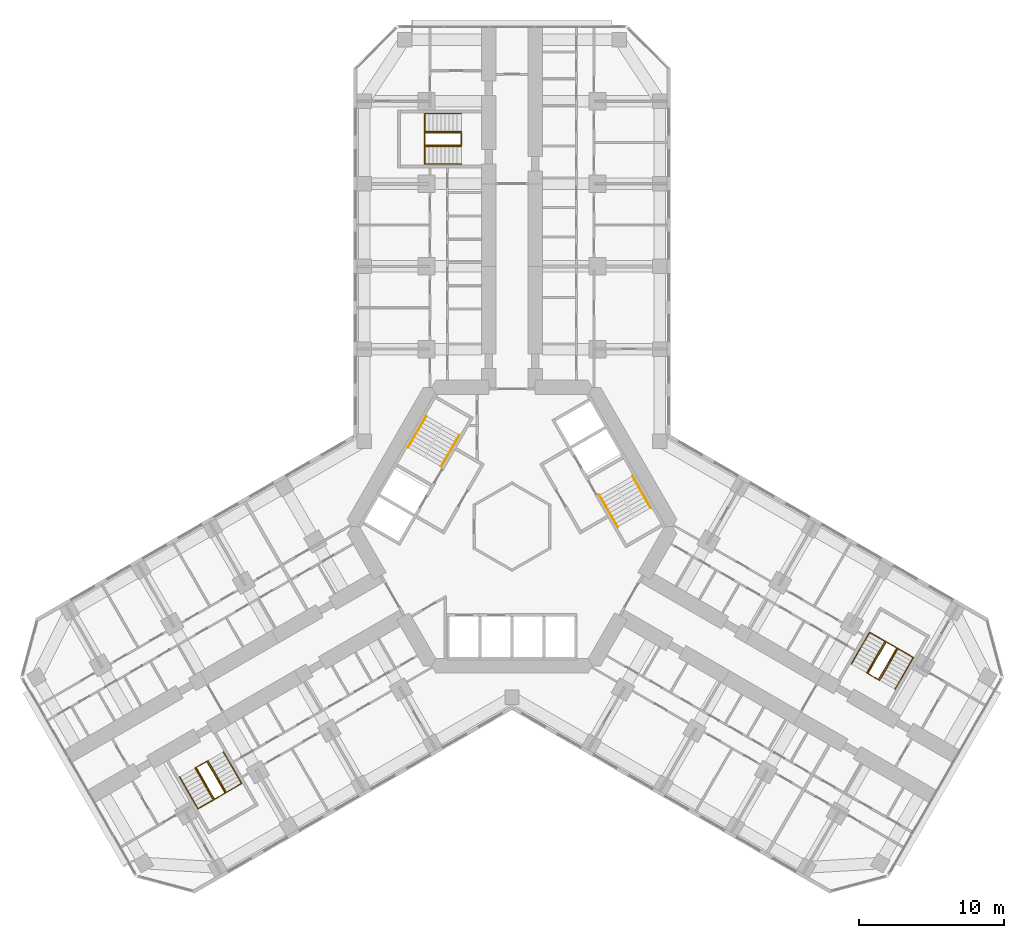
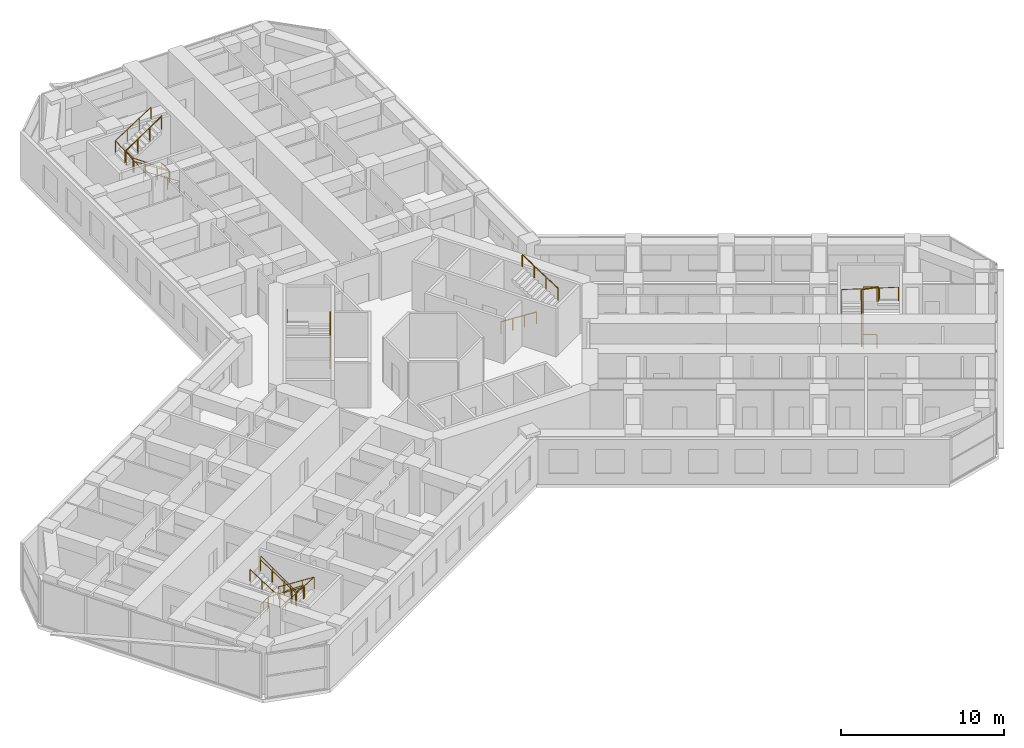
# One storey, part 21 of 21: 13 railings.
"""IFC4 building model written with IfcOpenShell, lengths in metres."""

from ifc_helpers import new_model, si_unit, direction, frame, origin, origin_2d, place, context, subcontext, project, spatial, circle, extrude, material, type_object, element, save


model = new_model("IFC4")

# Units and contexts
model_context = context("Model", 3, precision=1e-05, world=origin(), true_north=direction((0.0, 1.0)))
body_context = subcontext(model_context, "Body", "Model", "MODEL_VIEW")
ifc_project = project(units=[si_unit("LENGTHUNIT", "METRE"), si_unit("AREAUNIT", "SQUARE_METRE"), si_unit("VOLUMEUNIT", "CUBIC_METRE"), si_unit("PLANEANGLEUNIT", "RADIAN"), si_unit("MASSUNIT", "GRAM", prefix="KILO")], contexts=[model_context])

# Site, building, storey
site_placement = place(None, origin())
site = spatial("IfcSite", under=ifc_project, at=site_placement, CompositionType="ELEMENT")
building_placement = place(site_placement, origin())
building = spatial("IfcBuilding", under=site, at=building_placement, Name="Kosmar Iwan School Tower", CompositionType="ELEMENT")
storey_placement = place(building_placement, frame((0.0, 0.0, 46.60009765625)))
storey = spatial("IfcBuildingStorey", under=building, at=storey_placement, Name="L10", CompositionType="ELEMENT", Elevation=46.60009765625)

# Railings
ifc_material_1 = material(Name="Black steel", Category="steel")
railing_type_1 = type_object("IfcRailingType", Name="Stair handrail 900", PredefinedType="HANDRAIL", material=ifc_material_1)
railing_1_placement = place(storey_placement, frame((-4.89453125, 4.142333984375, 0.179931640625)))
element("IfcRailing", 1, at=railing_1_placement, inside=storey, type_object=railing_type_1, Name="Handrail ST2 flight 1", PredefinedType="HANDRAIL", context=body_context, shape_type="SweptSolid", body=[
    extrude(circle(Radius=0.02392578125, at=origin_2d()), frame((0.0, 0.0, 0.8759765625), z_axis=(0.42060268101, 0.72849590497, 0.54072830624), x_axis=(-0.866022637375, 0.500004791531, 0.0)), (0.0, 0.0, 1.0), 2.99560546875),
    extrude(circle(Radius=0.02099609375, at=origin_2d()), origin(), (0.0, 0.0, 1.0), 0.851806640625),
    extrude(circle(Radius=0.02099609375, at=origin_2d()), frame((0.419921875, 0.7275390625, 0.5400390625)), (0.0, 0.0, 1.0), 0.851806640625),
    extrude(circle(Radius=0.02099609375, at=origin_2d()), frame((0.840087890625, 1.454833984375, 1.079833984375)), (0.0, 0.0, 1.0), 0.851806640625),
    extrude(circle(Radius=0.02099609375, at=origin_2d()), frame((1.260009765625, 2.182373046875, 1.619873046875)), (0.0, 0.0, 1.0), 0.851806640625),
])
railing_2_placement = place(storey_placement, frame((-5.912353515625, 7.6396484375, 1.97998046875)))
element("IfcRailing", 2, at=railing_2_placement, inside=storey, type_object=railing_type_1, Name="Handrail ST2 flight 2", PredefinedType="HANDRAIL", context=body_context, shape_type="SweptSolid", body=[
    extrude(circle(Radius=0.02392578125, at=origin_2d()), frame((0.0, 0.0, 0.8759765625), z_axis=(-0.42060268101, -0.72849590497, 0.54072830624), x_axis=(0.866022637375, -0.500004791531, 0.0)), (0.0, 0.0, 1.0), 2.99560546875),
    extrude(circle(Radius=0.02099609375, at=origin_2d()), origin(), (0.0, 0.0, 1.0), 0.851806640625),
    extrude(circle(Radius=0.02099609375, at=origin_2d()), frame((-0.419921875, -0.7275390625, 0.5400390625)), (0.0, 0.0, 1.0), 0.851806640625),
    extrude(circle(Radius=0.02099609375, at=origin_2d()), frame((-0.840087890625, -1.454833984375, 1.079833984375)), (0.0, 0.0, 1.0), 0.851806640625),
    extrude(circle(Radius=0.02099609375, at=origin_2d()), frame((-1.260009765625, -2.182373046875, 1.619873046875)), (0.0, 0.0, 1.0), 0.851806640625),
])
railing_3_placement = place(storey_placement, frame((6.03466796875, 2.167724609375, 0.179931640625)))
element("IfcRailing", 3, at=railing_3_placement, inside=storey, type_object=railing_type_1, Name="Handrail ST1 flight 1", PredefinedType="HANDRAIL", context=body_context, shape_type="SweptSolid", body=[
    extrude(circle(Radius=0.02392578125, at=origin_2d()), frame((0.0, 0.0, 0.8759765625), z_axis=(0.42060268101, -0.72849590497, 0.54072830624), x_axis=(0.866022637375, 0.500004791531, 0.0)), (0.0, 0.0, 1.0), 2.99560546875),
    extrude(circle(Radius=0.02099609375, at=origin_2d()), origin(), (0.0, 0.0, 1.0), 0.851806640625),
    extrude(circle(Radius=0.02099609375, at=origin_2d()), frame((0.419921875, -0.7275390625, 0.5400390625)), (0.0, 0.0, 1.0), 0.851806640625),
    extrude(circle(Radius=0.02099609375, at=origin_2d()), frame((0.840087890625, -1.454833984375, 1.079833984375)), (0.0, 0.0, 1.0), 0.851806640625),
    extrude(circle(Radius=0.02099609375, at=origin_2d()), frame((1.260009765625, -2.182373046875, 1.619873046875)), (0.0, 0.0, 1.0), 0.851806640625),
])
railing_4_placement = place(storey_placement, frame((9.572265625, 1.30029296875, 1.97998046875)))
element("IfcRailing", 4, at=railing_4_placement, inside=storey, type_object=railing_type_1, Name="Handrail ST1 flight 2", PredefinedType="HANDRAIL", context=body_context, shape_type="SweptSolid", body=[
    extrude(circle(Radius=0.02392578125, at=origin_2d()), frame((0.0, 0.0, 0.8759765625), z_axis=(-0.42060268101, 0.72849590497, 0.54072830624), x_axis=(-0.866022637375, -0.500004791531, 0.0)), (0.0, 0.0, 1.0), 2.99560546875),
    extrude(circle(Radius=0.02099609375, at=origin_2d()), origin(), (0.0, 0.0, 1.0), 0.851806640625),
    extrude(circle(Radius=0.02099609375, at=origin_2d()), frame((-0.419921875, 0.7275390625, 0.5400390625)), (0.0, 0.0, 1.0), 0.851806640625),
    extrude(circle(Radius=0.02099609375, at=origin_2d()), frame((-0.840087890625, 1.454833984375, 1.079833984375)), (0.0, 0.0, 1.0), 0.851806640625),
    extrude(circle(Radius=0.02099609375, at=origin_2d()), frame((-1.260009765625, 2.182373046875, 1.619873046875)), (0.0, 0.0, 1.0), 0.851806640625),
])
railing_5_placement = place(storey_placement, frame((-3.5, 25.010009765625, 0.179931640625)))
element("IfcRailing", 5, at=railing_5_placement, inside=storey, type_object=railing_type_1, Name="Handrail stair WS1 L10 wall side", PredefinedType="HANDRAIL", context=body_context, shape_type="SweptSolid", body=[
    extrude(circle(Radius=0.02392578125, at=origin_2d()), frame((0.0, 0.0, 0.8759765625), z_axis=(-0.841199657755, 0.0, 0.540724639528), x_axis=(0.0, -1.0, 0.0)), (0.0, 0.0, 1.0), 2.995849609375),
    extrude(circle(Radius=0.02392578125, at=origin_2d()), frame((-2.52001953125, 0.0, 2.49560546875), z_axis=(0.0, 0.998662366465, 0.051705684471), x_axis=(-1.0, 0.0, 0.0)), (0.0, 0.0, 1.0), 3.484619140625),
    extrude(circle(Radius=0.02392578125, at=origin_2d()), frame((-2.52001953125, 3.47998046875, 2.67578125), z_axis=(0.841199657755, 0.0, 0.540724639528), x_axis=(0.0, 1.0, 0.0)), (0.0, 0.0, 1.0), 2.995849609375),
    extrude(circle(Radius=0.02099609375, at=origin_2d()), origin(), (0.0, 0.0, 1.0), 0.851806640625),
    extrude(circle(Radius=0.02099609375, at=origin_2d()), frame((-0.840087890625, 0.0, 0.5400390625)), (0.0, 0.0, 1.0), 0.851806640625),
    extrude(circle(Radius=0.02099609375, at=origin_2d()), frame((-1.679931640625, 0.0, 1.079833984375)), (0.0, 0.0, 1.0), 0.851806640625),
    extrude(circle(Radius=0.02099609375, at=origin_2d()), frame((-2.52001953125, 0.0, 1.619873046875)), (0.0, 0.0, 1.0), 0.851806640625),
    extrude(circle(Radius=0.02099609375, at=origin_2d()), frame((-2.52001953125, 1.159912109375, 1.679931640625)), (0.0, 0.0, 1.0), 0.851806640625),
    extrude(circle(Radius=0.02099609375, at=origin_2d()), frame((-2.52001953125, 2.320068359375, 1.739990234375)), (0.0, 0.0, 1.0), 0.851806640625),
    extrude(circle(Radius=0.02099609375, at=origin_2d()), frame((-2.52001953125, 3.47998046875, 1.800048828125)), (0.0, 0.0, 1.0), 0.851806640625),
    extrude(circle(Radius=0.02099609375, at=origin_2d()), frame((-1.679931640625, 3.47998046875, 2.340087890625)), (0.0, 0.0, 1.0), 0.851806640625),
    extrude(circle(Radius=0.02099609375, at=origin_2d()), frame((-0.840087890625, 3.47998046875, 2.8798828125)), (0.0, 0.0, 1.0), 0.851806640625),
    extrude(circle(Radius=0.02099609375, at=origin_2d()), frame((0.0, 3.47998046875, 3.419921875)), (0.0, 0.0, 1.0), 0.851806640625),
])
railing_6_placement = place(storey_placement, frame((-3.5, 26.239990234375, 0.179931640625)))
element("IfcRailing", 6, at=railing_6_placement, inside=storey, type_object=railing_type_1, Name="Handrail stair WS1 L10 well side", PredefinedType="HANDRAIL", context=body_context, shape_type="SweptSolid", body=[
    extrude(circle(Radius=0.02392578125, at=origin_2d()), frame((0.0, 0.0, 0.8759765625), z_axis=(-0.841199657755, 0.0, 0.540724639528), x_axis=(0.0, -1.0, 0.0)), (0.0, 0.0, 1.0), 2.995849609375),
    extrude(circle(Radius=0.02392578125, at=origin_2d()), frame((-2.52001953125, 0.0, 2.49560546875), z_axis=(0.0, 0.98475507176, 0.173946683332), x_axis=(-1.0, 0.0, 0.0)), (0.0, 0.0, 1.0), 1.035888671875),
    extrude(circle(Radius=0.02392578125, at=origin_2d()), frame((-2.52001953125, 1.02001953125, 2.67578125), z_axis=(0.841199657755, 0.0, 0.540724639528), x_axis=(0.0, 1.0, 0.0)), (0.0, 0.0, 1.0), 2.995849609375),
    extrude(circle(Radius=0.02099609375, at=origin_2d()), origin(), (0.0, 0.0, 1.0), 0.851806640625),
    extrude(circle(Radius=0.02099609375, at=origin_2d()), frame((-0.840087890625, 0.0, 0.5400390625)), (0.0, 0.0, 1.0), 0.851806640625),
    extrude(circle(Radius=0.02099609375, at=origin_2d()), frame((-1.679931640625, 0.0, 1.079833984375)), (0.0, 0.0, 1.0), 0.851806640625),
    extrude(circle(Radius=0.02099609375, at=origin_2d()), frame((-2.52001953125, 0.0, 1.619873046875)), (0.0, 0.0, 1.0), 0.851806640625),
    extrude(circle(Radius=0.02099609375, at=origin_2d()), frame((-2.52001953125, 1.02001953125, 1.800048828125)), (0.0, 0.0, 1.0), 0.851806640625),
    extrude(circle(Radius=0.02099609375, at=origin_2d()), frame((-1.679931640625, 1.02001953125, 2.340087890625)), (0.0, 0.0, 1.0), 0.851806640625),
    extrude(circle(Radius=0.02099609375, at=origin_2d()), frame((-0.840087890625, 1.02001953125, 2.8798828125)), (0.0, 0.0, 1.0), 0.851806640625),
    extrude(circle(Radius=0.02099609375, at=origin_2d()), frame((0.0, 1.02001953125, 3.419921875)), (0.0, 0.0, 1.0), 0.851806640625),
])
railing_7_placement = place(storey_placement, frame((-19.9091796875, -15.5361328125, 0.179931640625)))
element("IfcRailing", 7, at=railing_7_placement, inside=storey, type_object=railing_type_1, Name="Handrail stair WS2 L10 wall side", PredefinedType="HANDRAIL", context=body_context, shape_type="SweptSolid", body=[
    extrude(circle(Radius=0.02392578125, at=origin_2d()), frame((0.0, 0.0, 0.8759765625), z_axis=(0.420535598452, -0.728520874915, 0.540746840257), x_axis=(0.866064587494, 0.499932125682, 0.0)), (0.0, 0.0, 1.0), 2.99560546875),
    extrude(circle(Radius=0.02392578125, at=origin_2d()), frame((1.259765625, -2.182373046875, 2.49560546875), z_axis=(-0.864861221286, -0.499341050235, 0.051706706198), x_axis=(0.500009906705, -0.86601968407, 0.0)), (0.0, 0.0, 1.0), 3.484619140625),
    extrude(circle(Radius=0.02392578125, at=origin_2d()), frame((-1.75390625, -3.92236328125, 2.67578125), z_axis=(-0.42060268101, 0.72849590497, 0.54072830624), x_axis=(-0.866022637375, -0.500004791531, 0.0)), (0.0, 0.0, 1.0), 2.99560546875),
    extrude(circle(Radius=0.02099609375, at=origin_2d()), origin(), (0.0, 0.0, 1.0), 0.851806640625),
    extrude(circle(Radius=0.02099609375, at=origin_2d()), frame((0.419921875, -0.7275390625, 0.5400390625)), (0.0, 0.0, 1.0), 0.851806640625),
    extrude(circle(Radius=0.02099609375, at=origin_2d()), frame((0.83984375, -1.454833984375, 1.079833984375)), (0.0, 0.0, 1.0), 0.851806640625),
    extrude(circle(Radius=0.02099609375, at=origin_2d()), frame((1.259765625, -2.182373046875, 1.619873046875)), (0.0, 0.0, 1.0), 0.851806640625),
    extrude(circle(Radius=0.02099609375, at=origin_2d()), frame((0.255126953125, -2.762451171875, 1.679931640625)), (0.0, 0.0, 1.0), 0.851806640625),
    extrude(circle(Radius=0.02099609375, at=origin_2d()), frame((-0.749267578125, -3.34228515625, 1.739990234375)), (0.0, 0.0, 1.0), 0.851806640625),
    extrude(circle(Radius=0.02099609375, at=origin_2d()), frame((-1.75390625, -3.92236328125, 1.800048828125)), (0.0, 0.0, 1.0), 0.851806640625),
    extrude(circle(Radius=0.02099609375, at=origin_2d()), frame((-2.173828125, -3.19482421875, 2.340087890625)), (0.0, 0.0, 1.0), 0.851806640625),
    extrude(circle(Radius=0.02099609375, at=origin_2d()), frame((-2.593994140625, -2.467529296875, 2.8798828125)), (0.0, 0.0, 1.0), 0.851806640625),
    extrude(circle(Radius=0.02099609375, at=origin_2d()), frame((-3.013916015625, -1.739990234375, 3.419921875)), (0.0, 0.0, 1.0), 0.851806640625),
])
railing_8_placement = place(storey_placement, frame((-20.974609375, -16.151123046875, 0.179931640625)))
element("IfcRailing", 8, at=railing_8_placement, inside=storey, type_object=railing_type_1, Name="Handrail stair WS2 L10 well side", PredefinedType="HANDRAIL", context=body_context, shape_type="SweptSolid", body=[
    extrude(circle(Radius=0.02392578125, at=origin_2d()), frame((0.0, 0.0, 0.8759765625), z_axis=(0.42060268101, -0.72849590497, 0.54072830624), x_axis=(0.866022637375, 0.500004791531, 0.0)), (0.0, 0.0, 1.0), 2.99560546875),
    extrude(circle(Radius=0.02392578125, at=origin_2d()), frame((1.260009765625, -2.182373046875, 2.49560546875), z_axis=(-0.852806573049, -0.492402689635, 0.173955569627), x_axis=(0.500026340207, -0.866010195725, 0.0)), (0.0, 0.0, 1.0), 1.03564453125),
    extrude(circle(Radius=0.02392578125, at=origin_2d()), frame((0.376708984375, -2.6923828125, 2.67578125), z_axis=(-0.42060268101, 0.72849590497, 0.54072830624), x_axis=(-0.866022637375, -0.500004791531, 0.0)), (0.0, 0.0, 1.0), 2.99560546875),
    extrude(circle(Radius=0.02099609375, at=origin_2d()), origin(), (0.0, 0.0, 1.0), 0.851806640625),
    extrude(circle(Radius=0.02099609375, at=origin_2d()), frame((0.419921875, -0.7275390625, 0.5400390625)), (0.0, 0.0, 1.0), 0.851806640625),
    extrude(circle(Radius=0.02099609375, at=origin_2d()), frame((0.840087890625, -1.454833984375, 1.079833984375)), (0.0, 0.0, 1.0), 0.851806640625),
    extrude(circle(Radius=0.02099609375, at=origin_2d()), frame((1.260009765625, -2.182373046875, 1.619873046875)), (0.0, 0.0, 1.0), 0.851806640625),
    extrude(circle(Radius=0.02099609375, at=origin_2d()), frame((0.376708984375, -2.6923828125, 1.800048828125)), (0.0, 0.0, 1.0), 0.851806640625),
    extrude(circle(Radius=0.02099609375, at=origin_2d()), frame((-0.043212890625, -1.96484375, 2.340087890625)), (0.0, 0.0, 1.0), 0.851806640625),
    extrude(circle(Radius=0.02099609375, at=origin_2d()), frame((-0.46337890625, -1.237548828125, 2.8798828125)), (0.0, 0.0, 1.0), 0.851806640625),
    extrude(circle(Radius=0.02099609375, at=origin_2d()), frame((-0.88330078125, -0.510009765625, 3.419921875)), (0.0, 0.0, 1.0), 0.851806640625),
])
railing_9_placement = place(storey_placement, frame((23.4091796875, -9.473876953125, 0.179931640625)))
element("IfcRailing", 9, at=railing_9_placement, inside=storey, type_object=railing_type_1, Name="Handrail stair WS3 L10 wall side", PredefinedType="HANDRAIL", context=body_context, shape_type="SweptSolid", body=[
    extrude(circle(Radius=0.02392578125, at=origin_2d()), frame((0.0, 0.0, 0.8759765625), z_axis=(0.42060268101, 0.72849590497, 0.54072830624), x_axis=(-0.866022637375, 0.500004791531, 0.0)), (0.0, 0.0, 1.0), 2.99560546875),
    extrude(circle(Radius=0.02392578125, at=origin_2d()), frame((1.260009765625, 2.182373046875, 2.49560546875), z_axis=(0.864878876685, -0.499310794179, 0.051703573187), x_axis=(0.499979528911, 0.866037222451, 0.0)), (0.0, 0.0, 1.0), 3.48486328125),
    extrude(circle(Radius=0.02392578125, at=origin_2d()), frame((4.27392578125, 0.4423828125, 2.67578125), z_axis=(-0.42060268101, -0.72849590497, 0.54072830624), x_axis=(0.866022637375, -0.500004791531, 0.0)), (0.0, 0.0, 1.0), 2.99560546875),
    extrude(circle(Radius=0.02099609375, at=origin_2d()), origin(), (0.0, 0.0, 1.0), 0.851806640625),
    extrude(circle(Radius=0.02099609375, at=origin_2d()), frame((0.419921875, 0.7275390625, 0.5400390625)), (0.0, 0.0, 1.0), 0.851806640625),
    extrude(circle(Radius=0.02099609375, at=origin_2d()), frame((0.840087890625, 1.454833984375, 1.079833984375)), (0.0, 0.0, 1.0), 0.851806640625),
    extrude(circle(Radius=0.02099609375, at=origin_2d()), frame((1.260009765625, 2.182373046875, 1.619873046875)), (0.0, 0.0, 1.0), 0.851806640625),
    extrude(circle(Radius=0.02099609375, at=origin_2d()), frame((2.2646484375, 1.602294921875, 1.679931640625)), (0.0, 0.0, 1.0), 0.851806640625),
    extrude(circle(Radius=0.02099609375, at=origin_2d()), frame((3.269287109375, 1.0224609375, 1.739990234375)), (0.0, 0.0, 1.0), 0.851806640625),
    extrude(circle(Radius=0.02099609375, at=origin_2d()), frame((4.27392578125, 0.4423828125, 1.800048828125)), (0.0, 0.0, 1.0), 0.851806640625),
    extrude(circle(Radius=0.02099609375, at=origin_2d()), frame((3.85400390625, -0.28515625, 2.340087890625)), (0.0, 0.0, 1.0), 0.851806640625),
    extrude(circle(Radius=0.02099609375, at=origin_2d()), frame((3.433837890625, -1.012451171875, 2.8798828125)), (0.0, 0.0, 1.0), 0.851806640625),
    extrude(circle(Radius=0.02099609375, at=origin_2d()), frame((3.013916015625, -1.739990234375, 3.419921875)), (0.0, 0.0, 1.0), 0.851806640625),
])
railing_10_placement = place(storey_placement, frame((24.474609375, -10.0888671875, 0.179931640625)))
element("IfcRailing", 10, at=railing_10_placement, inside=storey, type_object=railing_type_1, Name="Handrail stair WS3 L10 well side", PredefinedType="HANDRAIL", context=body_context, shape_type="SweptSolid", body=[
    extrude(circle(Radius=0.02392578125, at=origin_2d()), frame((0.0, 0.0, 0.8759765625), z_axis=(0.42060268101, 0.72849590497, 0.54072830624), x_axis=(-0.866022637375, 0.500004791531, 0.0)), (0.0, 0.0, 1.0), 2.99560546875),
    extrude(circle(Radius=0.02392578125, at=origin_2d()), frame((1.260009765625, 2.182373046875, 2.49560546875), z_axis=(0.852806573049, -0.492402689635, 0.173955569627), x_axis=(0.500026340207, 0.866010195725, 0.0)), (0.0, 0.0, 1.0), 1.03564453125),
    extrude(circle(Radius=0.02392578125, at=origin_2d()), frame((2.143310546875, 1.67236328125, 2.67578125), z_axis=(-0.42060268101, -0.72849590497, 0.54072830624), x_axis=(0.866022637375, -0.500004791531, 0.0)), (0.0, 0.0, 1.0), 2.99560546875),
    extrude(circle(Radius=0.02099609375, at=origin_2d()), origin(), (0.0, 0.0, 1.0), 0.851806640625),
    extrude(circle(Radius=0.02099609375, at=origin_2d()), frame((0.419921875, 0.7275390625, 0.5400390625)), (0.0, 0.0, 1.0), 0.851806640625),
    extrude(circle(Radius=0.02099609375, at=origin_2d()), frame((0.840087890625, 1.454833984375, 1.079833984375)), (0.0, 0.0, 1.0), 0.851806640625),
    extrude(circle(Radius=0.02099609375, at=origin_2d()), frame((1.260009765625, 2.182373046875, 1.619873046875)), (0.0, 0.0, 1.0), 0.851806640625),
    extrude(circle(Radius=0.02099609375, at=origin_2d()), frame((2.143310546875, 1.67236328125, 1.800048828125)), (0.0, 0.0, 1.0), 0.851806640625),
    extrude(circle(Radius=0.02099609375, at=origin_2d()), frame((1.723388671875, 0.94482421875, 2.340087890625)), (0.0, 0.0, 1.0), 0.851806640625),
    extrude(circle(Radius=0.02099609375, at=origin_2d()), frame((1.30322265625, 0.217529296875, 2.8798828125)), (0.0, 0.0, 1.0), 0.851806640625),
    extrude(circle(Radius=0.02099609375, at=origin_2d()), frame((0.88330078125, -0.510009765625, 3.419921875)), (0.0, 0.0, 1.0), 0.851806640625),
])
ifc_material_2 = material(Name="Black steel", Category="steel")
railing_type_2 = type_object("IfcRailingType", Name="Stair well guard 1100", PredefinedType="GUARDRAIL", material=ifc_material_2)
railing_11_placement = place(storey_placement, frame((-3.5, 27.169921875, 0.0)))
element("IfcRailing", 11, at=railing_11_placement, inside=storey, type_object=railing_type_2, Name="Stair WS1 L10 well guard", PredefinedType="GUARDRAIL", context=body_context, shape_type="SweptSolid", body=[
    extrude(circle(Radius=0.02392578125, at=origin_2d()), frame((0.0, 0.0, 1.076171875), z_axis=(0.0, -1.0, 0.0), x_axis=(1.0, 0.0, 0.0)), (0.0, 0.0, 1.0), 0.83984375),
    extrude(circle(Radius=0.02392578125, at=origin_2d()), frame((0.0, -0.83984375, 1.076171875), z_axis=(-0.813765431312, 0.0, 0.581193446971), x_axis=(0.0, -1.0, 0.0)), (0.0, 0.0, 1.0), 3.0966796875),
    extrude(circle(Radius=0.02392578125, at=origin_2d()), frame((-2.52001953125, -0.83984375, 2.8759765625), z_axis=(0.0, 1.0, 0.0), x_axis=(-1.0, 0.0, 0.0)), (0.0, 0.0, 1.0), 0.83984375),
    extrude(circle(Radius=0.02392578125, at=origin_2d()), frame((-2.52001953125, 0.0, 2.8759765625), z_axis=(0.813728144527, 0.0, 0.581245650998), x_axis=(0.0, 1.0, 0.0)), (0.0, 0.0, 1.0), 3.096923828125),
    extrude(circle(Radius=0.02099609375, at=origin_2d()), origin(), (0.0, 0.0, 1.0), 1.052001953125),
    extrude(circle(Radius=0.02099609375, at=origin_2d()), frame((0.0, -0.83984375, 0.0)), (0.0, 0.0, 1.0), 1.052001953125),
    extrude(circle(Radius=0.02099609375, at=origin_2d()), frame((-0.840087890625, -0.83984375, 0.599853515625)), (0.0, 0.0, 1.0), 1.052001953125),
    extrude(circle(Radius=0.02099609375, at=origin_2d()), frame((-1.679931640625, -0.83984375, 1.199951171875)), (0.0, 0.0, 1.0), 1.052001953125),
    extrude(circle(Radius=0.02099609375, at=origin_2d()), frame((-2.52001953125, -0.83984375, 1.7998046875)), (0.0, 0.0, 1.0), 1.052001953125),
    extrude(circle(Radius=0.02099609375, at=origin_2d()), frame((-2.52001953125, 0.0, 1.7998046875)), (0.0, 0.0, 1.0), 1.052001953125),
    extrude(circle(Radius=0.02099609375, at=origin_2d()), frame((-1.679931640625, 0.0, 2.39990234375)), (0.0, 0.0, 1.0), 1.052001953125),
    extrude(circle(Radius=0.02099609375, at=origin_2d()), frame((-0.840087890625, 0.0, 2.999755859375)), (0.0, 0.0, 1.0), 1.052001953125),
    extrude(circle(Radius=0.02099609375, at=origin_2d()), frame((0.0, 0.0, 3.599853515625)), (0.0, 0.0, 1.0), 1.052001953125),
])
railing_12_placement = place(storey_placement, frame((-21.780029296875, -16.6162109375, 0.0)))
element("IfcRailing", 12, at=railing_12_placement, inside=storey, type_object=railing_type_2, Name="Stair WS2 L10 well guard", PredefinedType="GUARDRAIL", context=body_context, shape_type="SweptSolid", body=[
    extrude(circle(Radius=0.02392578125, at=origin_2d()), frame((0.0, 0.0, 1.076171875), z_axis=(0.865962960534, 0.500108139288, 0.0), x_axis=(-0.500108139288, 0.865962960534, 0.0)), (0.0, 0.0, 1.0), 0.840087890625),
    extrude(circle(Radius=0.02392578125, at=origin_2d()), frame((0.7275390625, 0.420166015625, 1.076171875), z_axis=(0.406885297737, -0.704737003773, 0.581197135229), x_axis=(0.866022637375, 0.500004791531, 0.0)), (0.0, 0.0, 1.0), 3.0966796875),
    extrude(circle(Radius=0.02392578125, at=origin_2d()), frame((1.987548828125, -1.76220703125, 2.8759765625), z_axis=(-0.865962960534, -0.500108139288, 0.0), x_axis=(0.500108139288, -0.865962960534, 0.0)), (0.0, 0.0, 1.0), 0.840087890625),
    extrude(circle(Radius=0.02392578125, at=origin_2d()), frame((1.260009765625, -2.182373046875, 2.8759765625), z_axis=(-0.40686665399, 0.704704712268, 0.58124933925), x_axis=(-0.866022637375, -0.500004791531, 0.0)), (0.0, 0.0, 1.0), 3.096923828125),
    extrude(circle(Radius=0.02099609375, at=origin_2d()), origin(), (0.0, 0.0, 1.0), 1.052001953125),
    extrude(circle(Radius=0.02099609375, at=origin_2d()), frame((0.7275390625, 0.420166015625, 0.0)), (0.0, 0.0, 1.0), 1.052001953125),
    extrude(circle(Radius=0.02099609375, at=origin_2d()), frame((1.1474609375, -0.307373046875, 0.599853515625)), (0.0, 0.0, 1.0), 1.052001953125),
    extrude(circle(Radius=0.02099609375, at=origin_2d()), frame((1.567626953125, -1.03466796875, 1.199951171875)), (0.0, 0.0, 1.0), 1.052001953125),
    extrude(circle(Radius=0.02099609375, at=origin_2d()), frame((1.987548828125, -1.76220703125, 1.7998046875)), (0.0, 0.0, 1.0), 1.052001953125),
    extrude(circle(Radius=0.02099609375, at=origin_2d()), frame((1.260009765625, -2.182373046875, 1.7998046875)), (0.0, 0.0, 1.0), 1.052001953125),
    extrude(circle(Radius=0.02099609375, at=origin_2d()), frame((0.840087890625, -1.454833984375, 2.39990234375)), (0.0, 0.0, 1.0), 1.052001953125),
    extrude(circle(Radius=0.02099609375, at=origin_2d()), frame((0.419921875, -0.7275390625, 2.999755859375)), (0.0, 0.0, 1.0), 1.052001953125),
    extrude(circle(Radius=0.02099609375, at=origin_2d()), frame((0.0, 0.0, 3.599853515625)), (0.0, 0.0, 1.0), 1.052001953125),
])
railing_13_placement = place(storey_placement, frame((25.280029296875, -10.553955078125, 0.0)))
element("IfcRailing", 13, at=railing_13_placement, inside=storey, type_object=railing_type_2, Name="Stair WS3 L10 well guard", PredefinedType="GUARDRAIL", context=body_context, shape_type="SweptSolid", body=[
    extrude(circle(Radius=0.02392578125, at=origin_2d()), frame((0.0, 0.0, 1.076171875), z_axis=(-0.865962960534, 0.500108139288, 0.0), x_axis=(-0.500108139288, -0.865962960534, 0.0)), (0.0, 0.0, 1.0), 0.840087890625),
    extrude(circle(Radius=0.02392578125, at=origin_2d()), frame((-0.7275390625, 0.420166015625, 1.076171875), z_axis=(0.406885297737, 0.704737003773, 0.581197135229), x_axis=(-0.866022637375, 0.500004791531, 0.0)), (0.0, 0.0, 1.0), 3.0966796875),
    extrude(circle(Radius=0.02392578125, at=origin_2d()), frame((0.532470703125, 2.6025390625, 2.8759765625), z_axis=(0.865890253765, -0.500234013672, 0.0), x_axis=(0.500234013672, 0.865890253765, 0.0)), (0.0, 0.0, 1.0), 0.83984375),
    extrude(circle(Radius=0.02392578125, at=origin_2d()), frame((1.259765625, 2.182373046875, 2.8759765625), z_axis=(-0.406800866334, -0.70472731476, 0.58126798207), x_axis=(0.866064587494, -0.499932125682, 0.0)), (0.0, 0.0, 1.0), 3.0966796875),
    extrude(circle(Radius=0.02099609375, at=origin_2d()), origin(), (0.0, 0.0, 1.0), 1.052001953125),
    extrude(circle(Radius=0.02099609375, at=origin_2d()), frame((-0.7275390625, 0.420166015625, 0.0)), (0.0, 0.0, 1.0), 1.052001953125),
    extrude(circle(Radius=0.02099609375, at=origin_2d()), frame((-0.3076171875, 1.147705078125, 0.599853515625)), (0.0, 0.0, 1.0), 1.052001953125),
    extrude(circle(Radius=0.02099609375, at=origin_2d()), frame((0.112548828125, 1.875, 1.199951171875)), (0.0, 0.0, 1.0), 1.052001953125),
    extrude(circle(Radius=0.02099609375, at=origin_2d()), frame((0.532470703125, 2.6025390625, 1.7998046875)), (0.0, 0.0, 1.0), 1.052001953125),
    extrude(circle(Radius=0.02099609375, at=origin_2d()), frame((1.259765625, 2.182373046875, 1.7998046875)), (0.0, 0.0, 1.0), 1.052001953125),
    extrude(circle(Radius=0.02099609375, at=origin_2d()), frame((0.83984375, 1.454833984375, 2.39990234375)), (0.0, 0.0, 1.0), 1.052001953125),
    extrude(circle(Radius=0.02099609375, at=origin_2d()), frame((0.419921875, 0.7275390625, 2.999755859375)), (0.0, 0.0, 1.0), 1.052001953125),
    extrude(circle(Radius=0.02099609375, at=origin_2d()), frame((0.0, 0.0, 3.599853515625)), (0.0, 0.0, 1.0), 1.052001953125),
])

save(model, "model.ifc")
